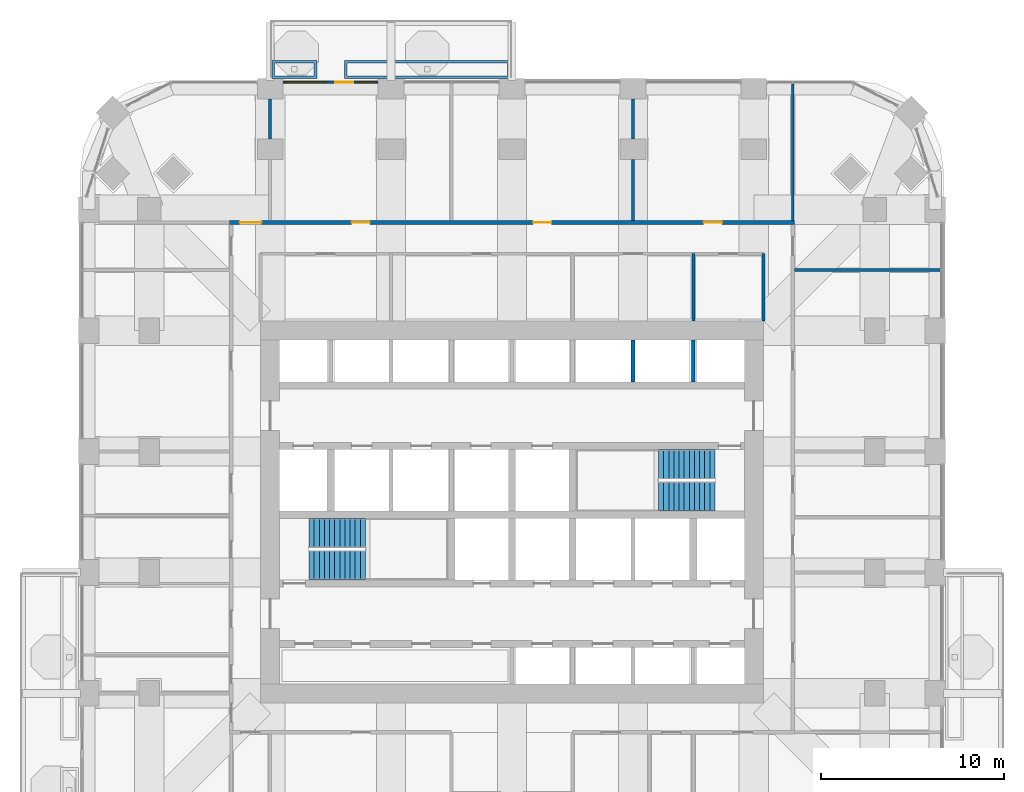
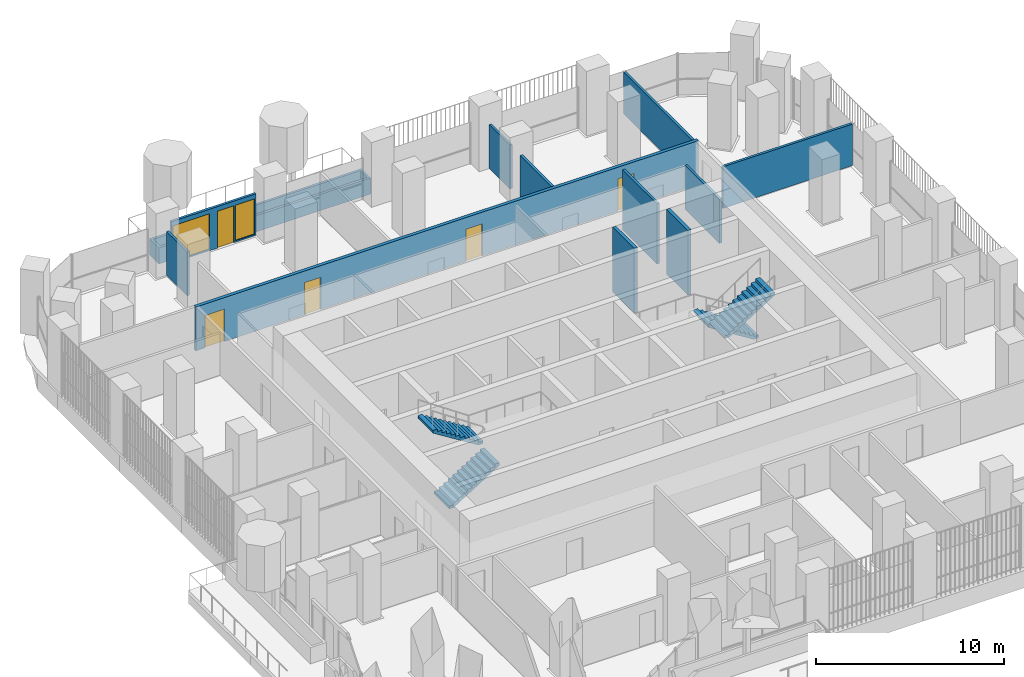
# One storey, part 16 of 21: 13 walls, 5 doors, 4 stair flights, 2 windows, 7 openings, 2 elements without a shape of their own.
"""IFC4 building model written with IfcOpenShell, lengths in metres."""

from ifc_helpers import new_model, si_unit, direction, frame, frame_2d, origin, place, context, subcontext, project, spatial, polyline, rectangle, outline, extrude, material, layer, layer_set, type_object, element, fill, aggregate, save


model = new_model("IFC4")

# Units and contexts
model_context = context("Model", 3, precision=1e-05, world=origin(), true_north=direction((0.0, 1.0)))
body_context = subcontext(model_context, "Body", "Model", "MODEL_VIEW")
ifc_project = project(units=[si_unit("LENGTHUNIT", "METRE"), si_unit("AREAUNIT", "SQUARE_METRE"), si_unit("VOLUMEUNIT", "CUBIC_METRE"), si_unit("PLANEANGLEUNIT", "RADIAN"), si_unit("MASSUNIT", "GRAM", prefix="KILO")], contexts=[model_context])

# Site, building, storey
site_placement = place(None, origin())
site = spatial("IfcSite", under=ifc_project, at=site_placement, CompositionType="ELEMENT")
building_placement = place(site_placement, origin())
building = spatial("IfcBuilding", under=site, at=building_placement, Name="Cobogo Forest Laboratory Tower", CompositionType="ELEMENT")
storey_placement = place(building_placement, frame((0.0, 0.0, 132.60009765625)))
storey = spatial("IfcBuildingStorey", under=building, at=storey_placement, Name="L30", CompositionType="ELEMENT", Elevation=132.60009765625)

# Wall, openings, door, windows
ifc_material_1 = material(Name="Aluminium framed glazed screen", Category="aluminium")
ifc_layer_1 = layer(ifc_material_1, 0.14990234375)
ifc_layer_set_1 = layer_set([ifc_layer_1], Name="GS1 glazed door screen 150")
wall_type_1 = type_object("IfcWallType", Name="GS1 glazed door screen 150", PredefinedType="SOLIDWALL", material=ifc_layer_set_1)
wall_1_placement = place(storey_placement, frame((19.10009765625, 46.550048828125, 0.0), z_axis=(0.0, 0.0, 1.0), x_axis=(-1.0, 0.0, 0.0)))
wall_1 = element("IfcWall", 1, at=wall_1_placement, inside=storey, type_object=wall_type_1, Name="Door screen BAL-N1 L30", PredefinedType="SOLIDWALL", context=body_context, shape_type="SweptSolid", body=[
    extrude(rectangle(XDim=5.2001953125, YDim=0.14990234375, at=frame_2d((2.60009765625, 0.0))), origin(), (0.0, 0.0, 1.0), 2.699951171875),
])
opening_1_placement = place(wall_1_placement, frame((1.35009765625, 0.0, 0.0)))
opening_1 = element("IfcOpeningElement", 2, at=opening_1_placement, cuts=wall_1, Name="Opening L30-D45", PredefinedType="OPENING", context=body_context, shape_type="SweptSolid", body=[
    extrude(rectangle(XDim=1.0, YDim=2.39990234375, at=frame_2d((0.5, 1.199951171875))), frame((0.0, 0.0849609375, 0.0), z_axis=(0.0, -1.0, 0.0), x_axis=(1.0, 0.0, 0.0)), (0.0, 0.0, 1.0), 0.169921875),
])
opening_2_placement = place(wall_1_placement, frame((0.10009765625, 0.0, 0.10009765625)))
opening_2 = element("IfcOpeningElement", 3, at=opening_2_placement, cuts=wall_1, Name="Opening L30-W08", PredefinedType="OPENING", context=body_context, shape_type="SweptSolid", body=[
    extrude(rectangle(XDim=1.14990234375, YDim=2.300048828125, at=frame_2d((0.574951171875, 1.14990234375))), frame((0.0, 0.0849609375, 0.0), z_axis=(0.0, -1.0, 0.0), x_axis=(1.0, 0.0, 0.0)), (0.0, 0.0, 1.0), 0.169921875),
])
opening_3_placement = place(wall_1_placement, frame((2.85009765625, 0.0, 0.10009765625)))
opening_3 = element("IfcOpeningElement", 4, at=opening_3_placement, cuts=wall_1, Name="Opening L30-W07", PredefinedType="OPENING", context=body_context, shape_type="SweptSolid", body=[
    extrude(rectangle(XDim=2.25, YDim=2.300048828125, at=frame_2d((1.125, 1.14990234375))), frame((0.0, 0.0849609375, 0.0), z_axis=(0.0, -1.0, 0.0), x_axis=(1.0, 0.0, 0.0)), (0.0, 0.0, 1.0), 0.169921875),
])
ifc_material_2 = material(Name="Aluminium glazed door", Category="aluminium")
door_type_1 = type_object("IfcDoorType", Name="DB1 balcony door 1000 glazed", OperationType="SINGLE_SWING_LEFT", PredefinedType="DOOR", material=ifc_material_2)
door_1_placement = place(opening_1_placement, origin())
door_1 = element("IfcDoor", 5, at=door_1_placement, inside=storey, type_object=door_type_1, Name="Door L30-BAL-N1", OperationType="SINGLE_SWING_LEFT", OverallHeight=2.39990234375, OverallWidth=1.0, PredefinedType="DOOR", context=body_context, shape_type="SweptSolid", body=[
    extrude(rectangle(XDim=1.0, YDim=2.39990234375, at=frame_2d((0.5, 1.199951171875))), frame((0.0, 0.02490234375, 0.0), z_axis=(0.0, -1.0, 0.0), x_axis=(1.0, 0.0, 0.0)), (0.0, 0.0, 1.0), 0.050048828125),
])
fill(opening_1, door_1)
ifc_material_3 = material(Name="Aluminium framed glazing", Category="aluminium")
window_type_1 = type_object("IfcWindowType", Name="WG15 fixed glazed light 2250x2300", PartitioningType="SINGLE_PANEL", PredefinedType="WINDOW", material=ifc_material_3)
window_1_placement = place(opening_3_placement, origin())
window_1 = element("IfcWindow", 6, at=window_1_placement, inside=storey, type_object=window_type_1, Name="Window L30-BAL-N1-2", OverallHeight=2.300048828125, OverallWidth=2.25, PartitioningType="SINGLE_PANEL", PredefinedType="WINDOW", context=body_context, shape_type="SweptSolid", body=[
    extrude(rectangle(XDim=2.25, YDim=2.300048828125, at=frame_2d((1.125, 1.14990234375))), frame((0.0, 0.030029296875, 0.0), z_axis=(0.0, -1.0, 0.0), x_axis=(1.0, 0.0, 0.0)), (0.0, 0.0, 1.0), 0.06005859375),
])
fill(opening_3, window_1)
window_type_2 = type_object("IfcWindowType", Name="WG16 fixed glazed light 1150x2300", PartitioningType="SINGLE_PANEL", PredefinedType="WINDOW", material=ifc_material_3)
window_2_placement = place(opening_2_placement, origin())
window_2 = element("IfcWindow", 7, at=window_2_placement, inside=storey, type_object=window_type_2, Name="Window L30-BAL-N1-1", OverallHeight=2.300048828125, OverallWidth=1.14990234375, PartitioningType="SINGLE_PANEL", PredefinedType="WINDOW", context=body_context, shape_type="SweptSolid", body=[
    extrude(rectangle(XDim=1.14990234375, YDim=2.300048828125, at=frame_2d((0.574951171875, 1.14990234375))), frame((0.0, 0.030029296875, 0.0), z_axis=(0.0, -1.0, 0.0), x_axis=(1.0, 0.0, 0.0)), (0.0, 0.0, 1.0), 0.06005859375),
])
fill(opening_2, window_2)

# Walls
ifc_material_4 = material(Name="Gypsum board on steel studs", Category="steel")
ifc_layer_2 = layer(ifc_material_4, 0.14990234375)
ifc_layer_set_2 = layer_set([ifc_layer_2], Name="PT1 laboratory partition 150")
wall_type_2 = type_object("IfcWallType", Name="PT1 laboratory partition 150", PredefinedType="PARTITIONING", material=ifc_layer_set_2)
wall_2_placement = place(storey_placement, frame((40.125, 33.52490234375, 0.0), z_axis=(0.0, 0.0, 1.0), x_axis=(0.0, 1.0, 0.0)))
element("IfcWall", 8, at=wall_2_placement, inside=storey, type_object=wall_type_2, Name="Partition CSTRIP-NE L30", PredefinedType="PARTITIONING", context=body_context, shape_type="SweptSolid", body=[
    extrude(rectangle(XDim=3.675048828125, YDim=0.14990234375, at=frame_2d((1.83740234375, 0.0))), origin(), (0.0, 0.0, 1.0), 2.849853515625),
])
wall_3_placement = place(storey_placement, frame((36.300048828125, 33.52490234375, 0.0), z_axis=(0.0, 0.0, 1.0), x_axis=(0.0, 1.0, 0.0)))
element("IfcWall", 9, at=wall_3_placement, inside=storey, type_object=wall_type_2, Name="Partition CSTRIP-N36.3 L30", PredefinedType="PARTITIONING", context=body_context, shape_type="SweptSolid", body=[
    extrude(rectangle(XDim=3.675048828125, YDim=0.14990234375, at=frame_2d((1.83740234375, 0.0))), origin(), (0.0, 0.0, 1.0), 3.89990234375),
])
wall_4_placement = place(storey_placement, frame((41.72509765625, 46.469970703125, 0.0), z_axis=(0.0, 0.0, 1.0), x_axis=(0.0, -1.0, 0.0)))
element("IfcWall", 10, at=wall_4_placement, inside=storey, type_object=wall_type_2, Name="Partition PW-NE L30", PredefinedType="PARTITIONING", context=body_context, shape_type="SweptSolid", body=[
    extrude(rectangle(XDim=7.469970703125, YDim=0.14990234375, at=frame_2d((3.73486328125, 0.0))), origin(), (0.0, 0.0, 1.0), 2.699951171875),
])
wall_5_placement = place(storey_placement, frame((49.77001953125, 36.300048828125, 0.0), z_axis=(0.0, 0.0, 1.0), x_axis=(-1.0, 0.0, 0.0)))
element("IfcWall", 11, at=wall_5_placement, inside=storey, type_object=wall_type_2, Name="Partition CUT-E36.3-1 L30", PredefinedType="PARTITIONING", context=body_context, shape_type="SweptSolid", body=[
    extrude(rectangle(XDim=7.945068359375, YDim=0.14990234375, at=frame_2d((3.97265625, 0.0))), origin(), (0.0, 0.0, 1.0), 2.699951171875),
])
for number, where, z_axis, x_axis, name in (
    (12, (13.199951171875, 45.64990234375, 0.0), (0.0, 0.0, 1.0), (0.0, -1.0, 0.0), "Partition CUT-N13.2-1 L30"),
    (13, (33.0, 45.64990234375, 0.0), (0.0, 0.0, 1.0), (0.0, -1.0, 0.0), "Partition CUT-N33-1 L30"),
):
    element("IfcWall", number, at=place(storey_placement, frame(where, z_axis=z_axis, x_axis=x_axis)), inside=storey, type_object=wall_type_2, Name=name, PredefinedType="PARTITIONING", context=body_context, shape_type="SweptSolid", body=[
        extrude(rectangle(XDim=2.199951171875, YDim=0.14990234375, at=frame_2d((1.10009765625, 0.0))), origin(), (0.0, 0.0, 1.0), 2.849853515625),
    ])
wall_6_placement = place(storey_placement, frame((33.0, 42.35009765625, 0.0), z_axis=(0.0, 0.0, 1.0), x_axis=(0.0, -1.0, 0.0)))
element("IfcWall", 14, at=wall_6_placement, inside=storey, type_object=wall_type_2, Name="Partition CUT-N33-2 L30", PredefinedType="PARTITIONING", context=body_context, shape_type="SweptSolid", body=[
    extrude(rectangle(XDim=3.35009765625, YDim=0.14990234375, at=frame_2d((1.675048828125, 0.0))), origin(), (0.0, 0.0, 1.0), 2.849853515625),
])

# Wall, openings, doors
ifc_layer_3 = layer(ifc_material_4, 0.199951171875)
ifc_layer_set_3 = layer_set([ifc_layer_3], Name="PT2 fire-rated corridor partition 200")
wall_type_3 = type_object("IfcWallType", Name="PT2 fire-rated corridor partition 200", PredefinedType="PARTITIONING", material=ifc_layer_set_3)
wall_7_placement = place(storey_placement, frame((10.97509765625, 38.89990234375, 0.0), z_axis=(0.0, 0.0, 1.0), x_axis=(1.0, 0.0, 0.0)))
wall_7 = element("IfcWall", 15, at=wall_7_placement, inside=storey, type_object=wall_type_3, Name="Partition CORR-N L30", PredefinedType="PARTITIONING", context=body_context, shape_type="SweptSolid", body=[
    extrude(rectangle(XDim=30.849853515625, YDim=0.199951171875, at=frame_2d((15.4248046875, 0.0))), origin(), (0.0, 0.0, 1.0), 2.849853515625),
])
opening_4_placement = place(wall_7_placement, frame((0.5625, 0.0, 0.0)))
opening_4 = element("IfcOpeningElement", 16, at=opening_4_placement, cuts=wall_7, Name="Opening L30-D41", PredefinedType="OPENING", context=body_context, shape_type="SweptSolid", body=[
    extrude(rectangle(XDim=1.199951171875, YDim=2.10009765625, at=frame_2d((0.60009765625, 1.050048828125))), frame((0.0, 0.10986328125, 0.0), z_axis=(0.0, -1.0, 0.0), x_axis=(1.0, 0.0, 0.0)), (0.0, 0.0, 1.0), 0.219970703125),
])
opening_5_placement = place(wall_7_placement, frame((6.675048828125, 0.0, 0.0)))
opening_5 = element("IfcOpeningElement", 17, at=opening_5_placement, cuts=wall_7, Name="Opening L30-D42", PredefinedType="OPENING", context=body_context, shape_type="SweptSolid", body=[
    extrude(rectangle(XDim=1.0, YDim=2.10009765625, at=frame_2d((0.5, 1.050048828125))), frame((0.0, 0.10986328125, 0.0), z_axis=(0.0, -1.0, 0.0), x_axis=(1.0, 0.0, 0.0)), (0.0, 0.0, 1.0), 0.219970703125),
])
opening_6_placement = place(wall_7_placement, frame((16.574951171875, 0.0, 0.0)))
opening_6 = element("IfcOpeningElement", 18, at=opening_6_placement, cuts=wall_7, Name="Opening L30-D43", PredefinedType="OPENING", context=body_context, shape_type="SweptSolid", body=[
    extrude(rectangle(XDim=1.0, YDim=2.10009765625, at=frame_2d((0.5, 1.050048828125))), frame((0.0, 0.10986328125, 0.0), z_axis=(0.0, -1.0, 0.0), x_axis=(1.0, 0.0, 0.0)), (0.0, 0.0, 1.0), 0.219970703125),
])
opening_7_placement = place(wall_7_placement, frame((25.887451171875, 0.0, 0.0)))
opening_7 = element("IfcOpeningElement", 19, at=opening_7_placement, cuts=wall_7, Name="Opening L30-D44", PredefinedType="OPENING", context=body_context, shape_type="SweptSolid", body=[
    extrude(rectangle(XDim=1.0, YDim=2.10009765625, at=frame_2d((0.5, 1.050048828125))), frame((0.0, 0.10986328125, 0.0), z_axis=(0.0, -1.0, 0.0), x_axis=(1.0, 0.0, 0.0)), (0.0, 0.0, 1.0), 0.219970703125),
])
ifc_material_5 = material(Name="Timber door", Category="wood")
door_type_2 = type_object("IfcDoorType", Name="D2 laboratory door 1200 unequal pair", OperationType="DOUBLE_DOOR_SINGLE_SWING", PredefinedType="DOOR", material=ifc_material_5)
door_2_placement = place(opening_4_placement, origin())
door_2 = element("IfcDoor", 20, at=door_2_placement, inside=storey, type_object=door_type_2, Name="Door L30-N1", OperationType="DOUBLE_DOOR_SINGLE_SWING", OverallHeight=2.10009765625, OverallWidth=1.199951171875, PredefinedType="DOOR", context=body_context, shape_type="SweptSolid", body=[
    extrude(rectangle(XDim=1.199951171875, YDim=2.10009765625, at=frame_2d((0.60009765625, 1.050048828125))), frame((0.0, 0.02490234375, 0.0), z_axis=(0.0, -1.0, 0.0), x_axis=(1.0, 0.0, 0.0)), (0.0, 0.0, 1.0), 0.050048828125),
])
fill(opening_4, door_2)
ifc_material_6 = material(Name="Timber fire door", Category="wood")
door_type_3 = type_object("IfcDoorType", Name="FD2 fire door 1000 EI2 30", OperationType="SINGLE_SWING_LEFT", PredefinedType="DOOR", material=ifc_material_6)
door_3_placement = place(opening_5_placement, origin())
door_3 = element("IfcDoor", 21, at=door_3_placement, inside=storey, type_object=door_type_3, Name="Door L30-N2", OperationType="SINGLE_SWING_LEFT", OverallHeight=2.10009765625, OverallWidth=1.0, PredefinedType="DOOR", context=body_context, shape_type="SweptSolid", body=[
    extrude(rectangle(XDim=1.0, YDim=2.10009765625, at=frame_2d((0.5, 1.050048828125))), frame((0.0, 0.02490234375, 0.0), z_axis=(0.0, -1.0, 0.0), x_axis=(1.0, 0.0, 0.0)), (0.0, 0.0, 1.0), 0.050048828125),
])
fill(opening_5, door_3)
door_4_placement = place(opening_6_placement, origin())
door_4 = element("IfcDoor", 22, at=door_4_placement, inside=storey, type_object=door_type_3, Name="Door L30-N3", OperationType="SINGLE_SWING_RIGHT", OverallHeight=2.10009765625, OverallWidth=1.0, PredefinedType="DOOR", context=body_context, shape_type="SweptSolid", body=[
    extrude(rectangle(XDim=1.0, YDim=2.10009765625, at=frame_2d((0.5, 1.050048828125))), frame((0.0, 0.02490234375, 0.0), z_axis=(0.0, -1.0, 0.0), x_axis=(1.0, 0.0, 0.0)), (0.0, 0.0, 1.0), 0.050048828125),
])
fill(opening_6, door_4)
door_5_placement = place(opening_7_placement, origin())
door_5 = element("IfcDoor", 23, at=door_5_placement, inside=storey, type_object=door_type_3, Name="Door L30-N4", OperationType="SINGLE_SWING_RIGHT", OverallHeight=2.10009765625, OverallWidth=1.0, PredefinedType="DOOR", context=body_context, shape_type="SweptSolid", body=[
    extrude(rectangle(XDim=1.0, YDim=2.10009765625, at=frame_2d((0.5, 1.050048828125))), frame((0.0, 0.02490234375, 0.0), z_axis=(0.0, -1.0, 0.0), x_axis=(1.0, 0.0, 0.0)), (0.0, 0.0, 1.0), 0.050048828125),
])
fill(opening_7, door_5)

# Walls
ifc_material_7 = material(Name="Concrete HA-40 (C40/50)", Category="concrete")
ifc_layer_4 = layer(ifc_material_7, 0.14990234375)
ifc_layer_set_4 = layer_set([ifc_layer_4], Name="Planter box 1000x1050")
wall_type_4 = type_object("IfcWallType", Name="Planter box 1000x1050", PredefinedType="USERDEFINED", material=ifc_layer_set_4)
wall_8_placement = place(storey_placement, origin())
element("IfcWall", 24, at=wall_8_placement, inside=storey, type_object=wall_type_4, Name="Planter BAL-N1-1 L30", ObjectType="PLANTER", PredefinedType="USERDEFINED", context=body_context, shape_type="SweptSolid", body=[
    extrude(outline(polyline([(13.300048828125, 46.75), (15.75, 46.75), (15.75, 47.75), (13.300048828125, 47.75), (13.300048828125, 46.75)]), holes=[polyline([(13.449951171875, 46.89990234375), (15.60009765625, 46.89990234375), (15.60009765625, 47.60009765625), (13.449951171875, 47.60009765625), (13.449951171875, 46.89990234375)])]), origin(), (0.0, 0.0, 1.0), 1.0498046875),
])
wall_9_placement = place(storey_placement, origin())
element("IfcWall", 25, at=wall_9_placement, inside=storey, type_object=wall_type_4, Name="Planter BAL-N1-2 L30", ObjectType="PLANTER", PredefinedType="USERDEFINED", context=body_context, shape_type="SweptSolid", body=[
    extrude(outline(polyline([(17.25, 46.75), (26.300048828125, 46.75), (26.300048828125, 47.75), (17.25, 47.75), (17.25, 46.75)]), holes=[polyline([(17.39990234375, 46.89990234375), (26.14990234375, 46.89990234375), (26.14990234375, 47.60009765625), (17.39990234375, 47.60009765625), (17.39990234375, 46.89990234375)])]), origin(), (0.0, 0.0, 1.0), 1.0498046875),
])
ifc_material_8 = material(Name="Concrete block", Category="concrete")
ifc_layer_5 = layer(ifc_material_8, 0.199951171875)
ifc_layer_set_5 = layer_set([ifc_layer_5], Name="SW200 lift shaft separator 200")
wall_type_5 = type_object("IfcWallType", Name="SW200 lift shaft separator 200", PredefinedType="PARTITIONING", material=ifc_layer_set_5)
for number, where, z_axis, x_axis, name in (
    (26, (33.0, 30.199951171875, 0.0), (0.0, 0.0, 1.0), (0.0, 1.0, 0.0), "Core wall SEP-N6 L30"),
    (27, (36.300048828125, 30.199951171875, 0.0), (0.0, 0.0, 1.0), (0.0, 1.0, 0.0), "Core wall SEP-N7 L30"),
):
    element("IfcWall", number, at=place(storey_placement, frame(where, z_axis=z_axis, x_axis=x_axis)), inside=storey, type_object=wall_type_5, Name=name, PredefinedType="PARTITIONING", context=body_context, shape_type="SweptSolid", body=[
        extrude(rectangle(XDim=2.275146484375, YDim=0.199951171875, at=frame_2d((1.1376953125, 0.0))), origin(), (0.0, 0.0, 1.0), 4.199951171875),
    ])

# Stair, stair flights
ifc_material_9 = material(Name="Precast concrete HA-40 (C40/50)", Category="concrete")
stair_type = type_object("IfcStairType", Name="ST24 exit stair 24 risers", PredefinedType="HALF_TURN_STAIR", material=ifc_material_9)
stair_1_placement = place(storey_placement, origin())
stair_1 = element("IfcStair", 28, at=stair_1_placement, inside=storey, type_object=stair_type, Name="Stair 1 L30 to L31", PredefinedType="HALF_TURN_STAIR")
stair_flight_type = type_object("IfcStairFlightType", Name="ST stair flight 280 going", PredefinedType="STRAIGHT", material=ifc_material_9)
stair_flight_1_placement = place(storey_placement, frame((15.324951171875, 20.199951171875, 0.0), z_axis=(0.0, 0.0, 1.0), x_axis=(1.0, 0.0, 0.0)))
stair_flight_1 = element("IfcStairFlight", 29, at=stair_flight_1_placement, type_object=stair_flight_type, Name="ST1 flight 1", NumberOfRisers=12, NumberOfTreads=11, PredefinedType="STRAIGHT", RiserHeight=0.175, TreadLength=0.28, context=body_context, shape_type="SweptSolid", body=[
    extrude(outline(polyline([(0.0, 0.0), (0.0, 0.175048828125), (0.280029296875, 0.175048828125), (0.280029296875, 0.35009765625), (0.56005859375, 0.35009765625), (0.56005859375, 0.52490234375), (0.840087890625, 0.52490234375), (0.840087890625, 0.699951171875), (1.1201171875, 0.699951171875), (1.1201171875, 0.875), (1.39990234375, 0.875), (1.39990234375, 1.050048828125), (1.679931640625, 1.050048828125), (1.679931640625, 1.22509765625), (1.9599609375, 1.22509765625), (1.9599609375, 1.39990234375), (2.239990234375, 1.39990234375), (2.239990234375, 1.574951171875), (2.52001953125, 1.574951171875), (2.52001953125, 1.75), (2.800048828125, 1.75), (2.800048828125, 1.925048828125), (3.080078125, 1.925048828125), (3.080078125, 2.10009765625), (3.080078125, 1.748291015625), (0.28271484375, 0.0), (0.0, 0.0)])), frame((0.0, 0.800048828125, 0.0), z_axis=(0.0, -1.0, 0.0), x_axis=(1.0, 0.0, 0.0)), (0.0, 0.0, 1.0), 1.60009765625),
])
stair_flight_2_placement = place(storey_placement, frame((18.405029296875, 21.949951171875, 2.099853515625), z_axis=(0.0, 0.0, 1.0), x_axis=(-1.0, 0.0, 0.0)))
stair_flight_2 = element("IfcStairFlight", 30, at=stair_flight_2_placement, type_object=stair_flight_type, Name="ST1 flight 2", NumberOfRisers=12, NumberOfTreads=11, PredefinedType="STRAIGHT", RiserHeight=0.175, TreadLength=0.28, context=body_context, shape_type="SweptSolid", body=[
    extrude(outline(polyline([(0.0, 0.0), (0.0, 0.175048828125), (0.280029296875, 0.175048828125), (0.280029296875, 0.35009765625), (0.56005859375, 0.35009765625), (0.56005859375, 0.52490234375), (0.840087890625, 0.52490234375), (0.840087890625, 0.699951171875), (1.1201171875, 0.699951171875), (1.1201171875, 0.875), (1.39990234375, 0.875), (1.39990234375, 1.050048828125), (1.679931640625, 1.050048828125), (1.679931640625, 1.22509765625), (1.9599609375, 1.22509765625), (1.9599609375, 1.39990234375), (2.239990234375, 1.39990234375), (2.239990234375, 1.574951171875), (2.52001953125, 1.574951171875), (2.52001953125, 1.75), (2.800048828125, 1.75), (2.800048828125, 1.925048828125), (3.080078125, 1.925048828125), (3.080078125, 2.10009765625), (3.080078125, 1.748291015625), (0.28271484375, 0.0), (0.0, 0.0)])), frame((0.0, 0.800048828125, 0.0), z_axis=(0.0, -1.0, 0.0), x_axis=(1.0, 0.0, 0.0)), (0.0, 0.0, 1.0), 1.60009765625),
])
aggregate(stair_1, [stair_flight_1, stair_flight_2])

stair_2_placement = place(storey_placement, origin())
stair_2 = element("IfcStair", 31, at=stair_2_placement, inside=storey, type_object=stair_type, Name="Stair 2 L30 to L31", PredefinedType="HALF_TURN_STAIR")
stair_flight_3_placement = place(storey_placement, frame((37.47509765625, 25.699951171875, 0.0), z_axis=(0.0, 0.0, 1.0), x_axis=(-1.0, 0.0, 0.0)))
stair_flight_3 = element("IfcStairFlight", 32, at=stair_flight_3_placement, type_object=stair_flight_type, Name="ST2 flight 1", NumberOfRisers=12, NumberOfTreads=11, PredefinedType="STRAIGHT", RiserHeight=0.175, TreadLength=0.28, context=body_context, shape_type="SweptSolid", body=[
    extrude(outline(polyline([(0.0, 0.0), (0.0, 0.175048828125), (0.280029296875, 0.175048828125), (0.280029296875, 0.35009765625), (0.56005859375, 0.35009765625), (0.56005859375, 0.52490234375), (0.840087890625, 0.52490234375), (0.840087890625, 0.699951171875), (1.1201171875, 0.699951171875), (1.1201171875, 0.875), (1.39990234375, 0.875), (1.39990234375, 1.050048828125), (1.679931640625, 1.050048828125), (1.679931640625, 1.22509765625), (1.9599609375, 1.22509765625), (1.9599609375, 1.39990234375), (2.239990234375, 1.39990234375), (2.239990234375, 1.574951171875), (2.52001953125, 1.574951171875), (2.52001953125, 1.75), (2.800048828125, 1.75), (2.800048828125, 1.925048828125), (3.080078125, 1.925048828125), (3.080078125, 2.10009765625), (3.080078125, 1.748291015625), (0.28271484375, 0.0), (0.0, 0.0)])), frame((0.0, 0.800048828125, 0.0), z_axis=(0.0, -1.0, 0.0), x_axis=(1.0, 0.0, 0.0)), (0.0, 0.0, 1.0), 1.60009765625),
])
stair_flight_4_placement = place(storey_placement, frame((34.39501953125, 23.949951171875, 2.099853515625), z_axis=(0.0, 0.0, 1.0), x_axis=(1.0, 0.0, 0.0)))
stair_flight_4 = element("IfcStairFlight", 33, at=stair_flight_4_placement, type_object=stair_flight_type, Name="ST2 flight 2", NumberOfRisers=12, NumberOfTreads=11, PredefinedType="STRAIGHT", RiserHeight=0.175, TreadLength=0.28, context=body_context, shape_type="SweptSolid", body=[
    extrude(outline(polyline([(0.0, 0.0), (0.0, 0.175048828125), (0.280029296875, 0.175048828125), (0.280029296875, 0.35009765625), (0.56005859375, 0.35009765625), (0.56005859375, 0.52490234375), (0.840087890625, 0.52490234375), (0.840087890625, 0.699951171875), (1.1201171875, 0.699951171875), (1.1201171875, 0.875), (1.39990234375, 0.875), (1.39990234375, 1.050048828125), (1.679931640625, 1.050048828125), (1.679931640625, 1.22509765625), (1.9599609375, 1.22509765625), (1.9599609375, 1.39990234375), (2.239990234375, 1.39990234375), (2.239990234375, 1.574951171875), (2.52001953125, 1.574951171875), (2.52001953125, 1.75), (2.800048828125, 1.75), (2.800048828125, 1.925048828125), (3.080078125, 1.925048828125), (3.080078125, 2.10009765625), (3.080078125, 1.748291015625), (0.28271484375, 0.0), (0.0, 0.0)])), frame((0.0, 0.800048828125, 0.0), z_axis=(0.0, -1.0, 0.0), x_axis=(1.0, 0.0, 0.0)), (0.0, 0.0, 1.0), 1.60009765625),
])
aggregate(stair_2, [stair_flight_3, stair_flight_4])

save(model, "model.ifc")
